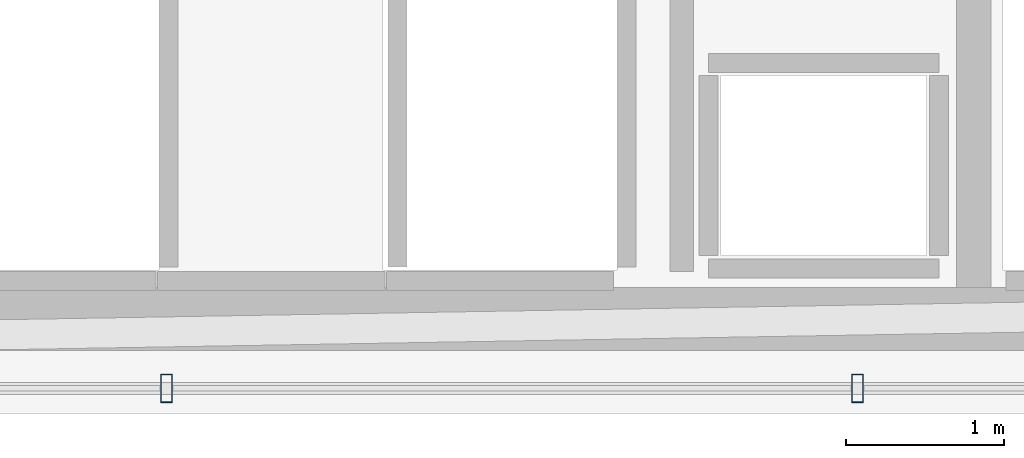
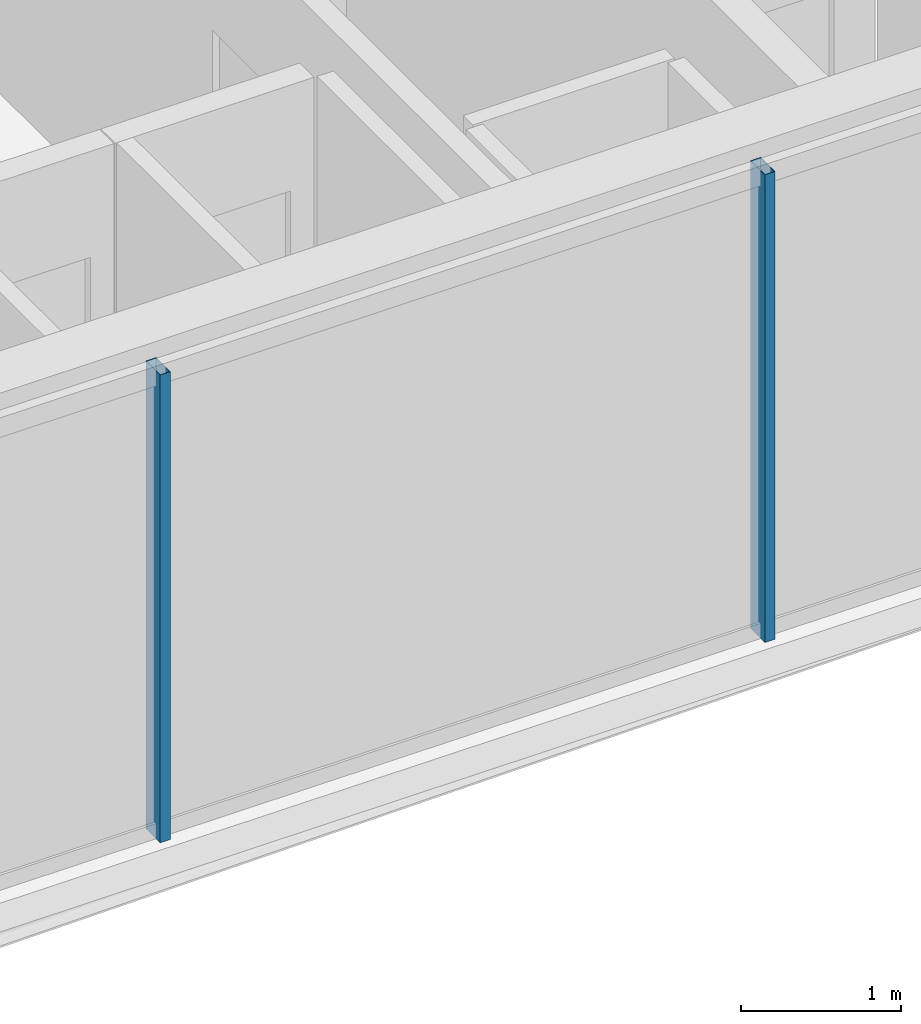
# One storey, part 8 of 29: 2 members, 1 element without a shape of its own.
"""IFC4 building model written with IfcOpenShell, lengths in metres."""

from ifc_helpers import new_model, si_unit, direction, frame, origin, origin_2d, place, context, subcontext, project, spatial, hollow_rectangle, extrude, material, layer, layer_set, material_profile, profile_set, type_object, element, aggregate, save


model = new_model("IFC4")

# Units and contexts
model_context = context("Model", 3, precision=1e-05, world=origin(), true_north=direction((0.0, 1.0)))
body_context = subcontext(model_context, "Body", "Model", "MODEL_VIEW")
ifc_project = project(units=[si_unit("LENGTHUNIT", "METRE"), si_unit("AREAUNIT", "SQUARE_METRE"), si_unit("VOLUMEUNIT", "CUBIC_METRE"), si_unit("PLANEANGLEUNIT", "RADIAN"), si_unit("MASSUNIT", "GRAM", prefix="KILO")], contexts=[model_context])

# Site, building, storey
site_placement = place(None, origin())
site = spatial("IfcSite", under=ifc_project, at=site_placement, CompositionType="ELEMENT")
building_placement = place(site_placement, origin())
building = spatial("IfcBuilding", under=site, at=building_placement, Name="Ndaravel Arena Tower", CompositionType="ELEMENT")
storey_placement = place(building_placement, frame((0.0, 0.0, 248.39990234375)))
storey = spatial("IfcBuildingStorey", under=building, at=storey_placement, Name="L60", CompositionType="ELEMENT", Elevation=248.39990234375)

# Curtain wall, members
ifc_material_1 = material(Name="Aluminium", Category="aluminium")
ifc_layer = layer(ifc_material_1, 0.179931640625)
ifc_layer_set = layer_set([ifc_layer], Name="Aluminium")
curtain_wall_type = type_object("IfcCurtainWallType", Name="CW-SYS-03", PredefinedType="NOTDEFINED", material=ifc_layer_set)
curtain_wall_placement = place(storey_placement, origin())
curtain_wall = element("IfcCurtainWall", 1, at=curtain_wall_placement, inside=storey, type_object=curtain_wall_type, Name="L60 Faceted Crystal Curtain Wall CW-L60-E01", PredefinedType="NOTDEFINED")
ifc_material_2 = material(Name="Aluminium", Category="aluminium")
ifc_material_profile = material_profile(ifc_material_2, hollow_rectangle(XDim=0.074951171875, YDim=0.179931640625, WallThickness=0.00390625, at=origin_2d()), Name="CW MULLION 75x180x4")
ifc_profile_set = profile_set([ifc_material_profile], Name="Aluminium")
member_type = type_object("IfcMemberType", Name="MEM-CW-MUL180", PredefinedType="MULLION", material=ifc_profile_set)
member_1_placement = place(storey_placement, frame((44.18798828125, 5.159912109375, 0.0), z_axis=(0.0, 0.0, 1.0), x_axis=(1.0, 0.0, 0.0)))
member_1 = element("IfcMember", 2, at=member_1_placement, type_object=member_type, Name="CW-L60-E01 Mullion 05", PredefinedType="MULLION", context=body_context, shape_type="SweptSolid", body=[
    extrude(hollow_rectangle(XDim=0.074951171875, YDim=0.179931640625, WallThickness=0.00390625, at=origin_2d()), origin(), (0.0, 0.0, 1.0), 3.580078125),
])
member_2_placement = place(storey_placement, frame((48.56396484375, 5.159912109375, 0.0), z_axis=(0.0, 0.0, 1.0), x_axis=(1.0, 0.0, 0.0)))
member_2 = element("IfcMember", 3, at=member_2_placement, type_object=member_type, Name="CW-L60-E01 Mullion 06", PredefinedType="MULLION", context=body_context, shape_type="SweptSolid", body=[
    extrude(hollow_rectangle(XDim=0.074951171875, YDim=0.179931640625, WallThickness=0.00390625, at=origin_2d()), origin(), (0.0, 0.0, 1.0), 3.580078125),
])
aggregate(curtain_wall, [member_1, member_2])

save(model, "model.ifc")
